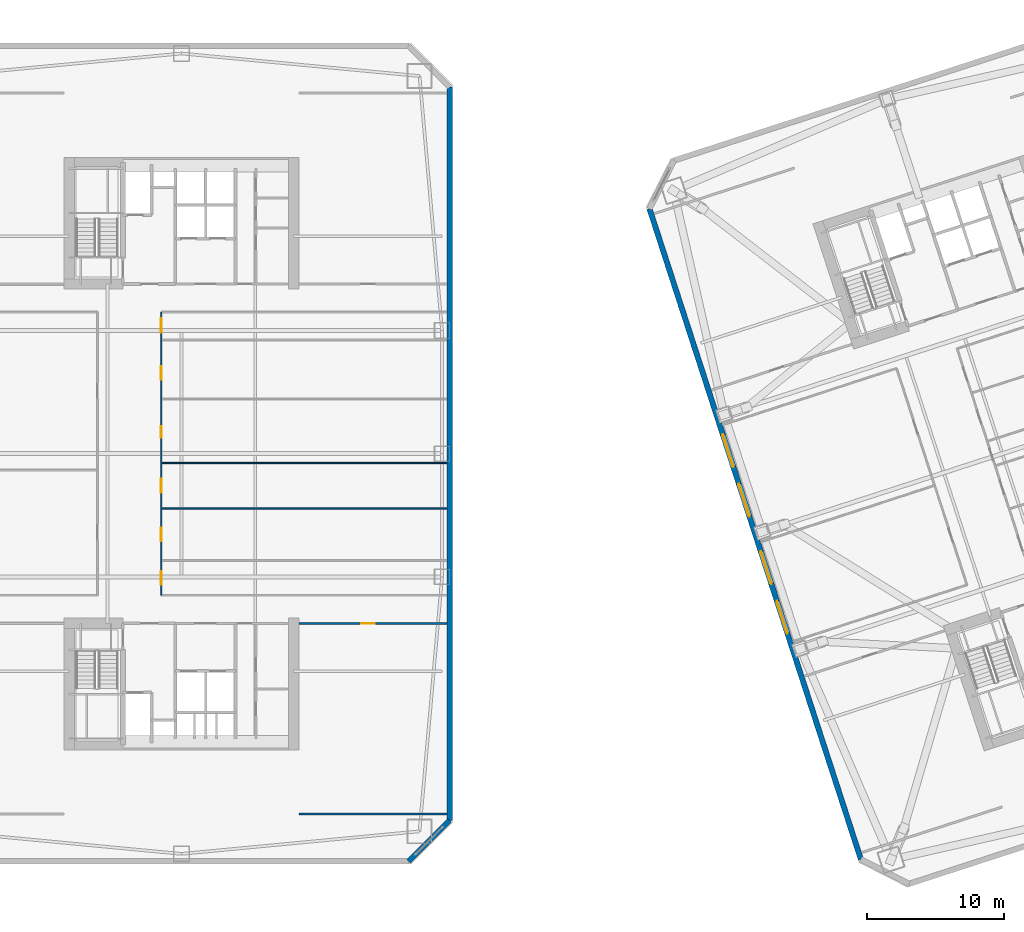
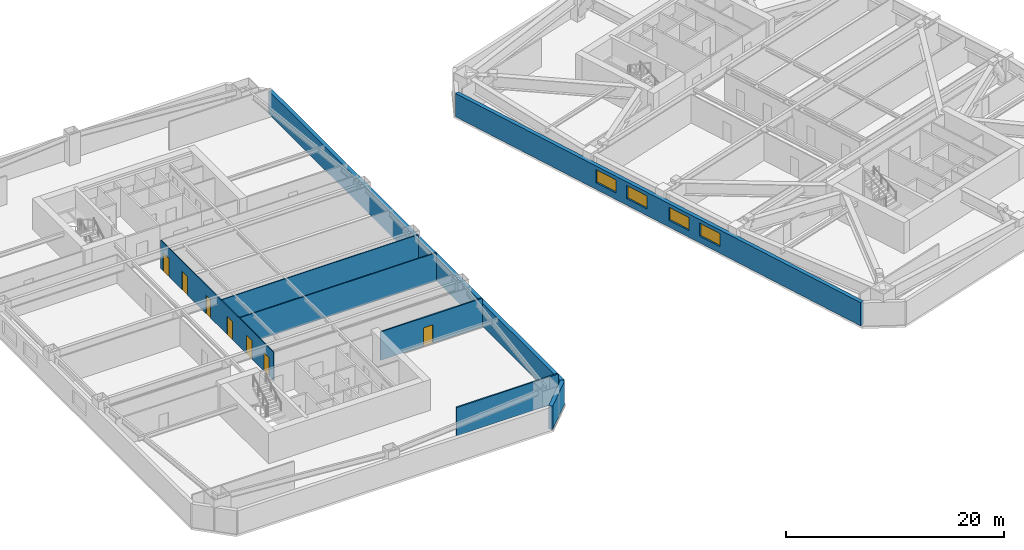
# One storey, part 12 of 18: 8 walls, 7 doors, 4 windows, 11 openings.
"""IFC4 building model written with IfcOpenShell, lengths in metres."""

from ifc_helpers import new_model, si_unit, direction, frame, frame_2d, origin, place, context, subcontext, project, spatial, rectangle, extrude, material, layer, layer_set, type_object, element, fill, save


model = new_model("IFC4")

# Units and contexts
model_context = context("Model", 3, precision=1e-05, world=origin(), true_north=direction((0.0, 1.0)))
body_context = subcontext(model_context, "Body", "Model", "MODEL_VIEW")
ifc_project = project(units=[si_unit("LENGTHUNIT", "METRE"), si_unit("AREAUNIT", "SQUARE_METRE"), si_unit("VOLUMEUNIT", "CUBIC_METRE"), si_unit("PLANEANGLEUNIT", "RADIAN"), si_unit("MASSUNIT", "GRAM", prefix="KILO")], contexts=[model_context])

# Site, building, storey
site_placement = place(None, origin())
site = spatial("IfcSite", under=ifc_project, at=site_placement, CompositionType="ELEMENT")
building_placement = place(site_placement, origin())
building = spatial("IfcBuilding", under=site, at=building_placement, Name="Qiaolan Cultural Towers", CompositionType="ELEMENT")
storey_placement = place(building_placement, frame((0.0, 0.0, 74.75)))
storey = spatial("IfcBuildingStorey", under=building, at=storey_placement, Name="L18", CompositionType="ELEMENT", Elevation=74.75)

# Walls
ifc_material_1 = material(Name="Precast Concrete C50 Honed Stone Pier", Category="masonry")
ifc_layer_1 = layer(ifc_material_1, 0.39990234375)
ifc_layer_set_1 = layer_set([ifc_layer_1], Name="Precast Concrete C50 Honed Stone Pier")
wall_type_1 = type_object("IfcWallType", Name="WL-EXT-PIER-400", PredefinedType="SOLIDWALL", material=ifc_layer_set_1)
wall_1_placement = place(storey_placement, frame((49.60009765625, 60.800048828125, 0.0), z_axis=(0.0, 0.0, 1.0), x_axis=(0.0, -1.0, 0.0)))
element("IfcWall", 1, at=wall_1_placement, inside=storey, type_object=wall_type_1, Name="L18 West Tower Precast Pier Facade Wall F5", PredefinedType="SOLIDWALL", context=body_context, shape_type="SweptSolid", body=[
    extrude(rectangle(XDim=53.60009765625, YDim=0.39990234375, at=frame_2d((26.800048828125, 0.0))), origin(), (0.0, 0.0, 1.0), 2.610107421875),
])
wall_2_placement = place(storey_placement, frame((49.60009765625, 7.199951171875, 0.0), z_axis=(0.0, 0.0, 1.0), x_axis=(-0.707106781187, -0.707106781187, 0.0)))
element("IfcWall", 2, at=wall_2_placement, inside=storey, type_object=wall_type_1, Name="L18 West Tower Precast Pier Facade Wall F6", PredefinedType="SOLIDWALL", context=body_context, shape_type="SweptSolid", body=[
    extrude(rectangle(XDim=4.24267578125, YDim=0.39990234375, at=frame_2d((2.121337890625, 0.0))), origin(), (0.0, 0.0, 1.0), 2.610107421875),
])

# Wall, openings, windows
wall_3_placement = place(storey_placement, frame((79.6552734375, 4.352294921875, 0.0), z_axis=(0.0, 0.0, 1.0), x_axis=(-0.309014526607, 0.951057318118, 0.0)))
wall_3 = element("IfcWall", 3, at=wall_3_placement, inside=storey, type_object=wall_type_1, Name="L18 East Tower Precast Pier Facade Wall F1", PredefinedType="SOLIDWALL", context=body_context, shape_type="SweptSolid", body=[
    extrude(rectangle(XDim=49.999755859375, YDim=0.39990234375, at=frame_2d((25.0, 0.0))), origin(), (0.0, 0.0, 1.0), 2.610107421875),
])
opening_1_placement = place(wall_3_placement, frame((17.35009765625, 0.0, 0.75)))
opening_1 = element("IfcOpeningElement", 4, at=opening_1_placement, cuts=wall_3, Name="Opening W-01", PredefinedType="OPENING", context=body_context, shape_type="SweptSolid", body=[
    extrude(rectangle(XDim=2.5, YDim=1.4599609375, at=frame_2d((1.25, 0.72998046875))), frame((0.0, 0.2099609375, 0.0), z_axis=(0.0, -1.0, 0.0), x_axis=(1.0, 0.0, 0.0)), (0.0, 0.0, 1.0), 0.419921875),
])
opening_2_placement = place(wall_3_placement, frame((21.14990234375, 0.0, 0.75)))
opening_2 = element("IfcOpeningElement", 5, at=opening_2_placement, cuts=wall_3, Name="Opening W-01", PredefinedType="OPENING", context=body_context, shape_type="SweptSolid", body=[
    extrude(rectangle(XDim=2.5, YDim=1.4599609375, at=frame_2d((1.25, 0.72998046875))), frame((0.0, 0.2099609375, 0.0), z_axis=(0.0, -1.0, 0.0), x_axis=(1.0, 0.0, 0.0)), (0.0, 0.0, 1.0), 0.419921875),
])
opening_3_placement = place(wall_3_placement, frame((26.35009765625, 0.0, 0.75)))
opening_3 = element("IfcOpeningElement", 6, at=opening_3_placement, cuts=wall_3, Name="Opening W-01", PredefinedType="OPENING", context=body_context, shape_type="SweptSolid", body=[
    extrude(rectangle(XDim=2.5, YDim=1.4599609375, at=frame_2d((1.25, 0.72998046875))), frame((0.0, 0.2099609375, 0.0), z_axis=(0.0, -1.0, 0.0), x_axis=(1.0, 0.0, 0.0)), (0.0, 0.0, 1.0), 0.419921875),
])
opening_4_placement = place(wall_3_placement, frame((30.14990234375, 0.0, 0.75)))
opening_4 = element("IfcOpeningElement", 7, at=opening_4_placement, cuts=wall_3, Name="Opening W-01", PredefinedType="OPENING", context=body_context, shape_type="SweptSolid", body=[
    extrude(rectangle(XDim=2.5, YDim=1.4599609375, at=frame_2d((1.25, 0.72998046875))), frame((0.0, 0.2099609375, 0.0), z_axis=(0.0, -1.0, 0.0), x_axis=(1.0, 0.0, 0.0)), (0.0, 0.0, 1.0), 0.419921875),
])
ifc_material_2 = material(Name="Thermally Broken Aluminium Triple Low-E Glazing", Category="aluminium")
window_type = type_object("IfcWindowType", Name="WN-CHIC-2500", PartitioningType="SINGLE_PANEL", PredefinedType="WINDOW", material=ifc_material_2)
window_1_placement = place(opening_1_placement, origin())
window_1 = element("IfcWindow", 8, at=window_1_placement, inside=storey, type_object=window_type, Name="L18 T2 W Chicago Bay Window 1", OverallHeight=1.4599609375, OverallWidth=2.5, PartitioningType="TRIPLE_PANEL_VERTICAL", PredefinedType="WINDOW", context=body_context, shape_type="SweptSolid", body=[
    extrude(rectangle(XDim=2.5, YDim=1.4599609375, at=frame_2d((1.25, 0.72998046875))), frame((0.0, 0.030029296875, 0.0), z_axis=(0.0, -1.0, 0.0), x_axis=(1.0, 0.0, 0.0)), (0.0, 0.0, 1.0), 0.06005859375),
])
fill(opening_1, window_1)
window_2_placement = place(opening_2_placement, origin())
window_2 = element("IfcWindow", 9, at=window_2_placement, inside=storey, type_object=window_type, Name="L18 T2 W Chicago Bay Window 2", OverallHeight=1.4599609375, OverallWidth=2.5, PartitioningType="TRIPLE_PANEL_VERTICAL", PredefinedType="WINDOW", context=body_context, shape_type="SweptSolid", body=[
    extrude(rectangle(XDim=2.5, YDim=1.4599609375, at=frame_2d((1.25, 0.72998046875))), frame((0.0, 0.030029296875, 0.0), z_axis=(0.0, -1.0, 0.0), x_axis=(1.0, 0.0, 0.0)), (0.0, 0.0, 1.0), 0.06005859375),
])
fill(opening_2, window_2)
window_3_placement = place(opening_3_placement, origin())
window_3 = element("IfcWindow", 10, at=window_3_placement, inside=storey, type_object=window_type, Name="L18 T2 W Chicago Bay Window 3", OverallHeight=1.4599609375, OverallWidth=2.5, PartitioningType="TRIPLE_PANEL_VERTICAL", PredefinedType="WINDOW", context=body_context, shape_type="SweptSolid", body=[
    extrude(rectangle(XDim=2.5, YDim=1.4599609375, at=frame_2d((1.25, 0.72998046875))), frame((0.0, 0.030029296875, 0.0), z_axis=(0.0, -1.0, 0.0), x_axis=(1.0, 0.0, 0.0)), (0.0, 0.0, 1.0), 0.06005859375),
])
fill(opening_3, window_3)
window_4_placement = place(opening_4_placement, origin())
window_4 = element("IfcWindow", 11, at=window_4_placement, inside=storey, type_object=window_type, Name="L18 T2 W Chicago Bay Window 4", OverallHeight=1.4599609375, OverallWidth=2.5, PartitioningType="TRIPLE_PANEL_VERTICAL", PredefinedType="WINDOW", context=body_context, shape_type="SweptSolid", body=[
    extrude(rectangle(XDim=2.5, YDim=1.4599609375, at=frame_2d((1.25, 0.72998046875))), frame((0.0, 0.030029296875, 0.0), z_axis=(0.0, -1.0, 0.0), x_axis=(1.0, 0.0, 0.0)), (0.0, 0.0, 1.0), 0.06005859375),
])
fill(opening_4, window_4)

# Wall, openings, doors
ifc_material_3 = material(Name="Acoustic Double-Glazed Partition Frame", Category="glass")
ifc_layer_2 = layer(ifc_material_3, 0.10009765625)
ifc_layer_set_2 = layer_set([ifc_layer_2], Name="Acoustic Double-Glazed Partition Frame")
wall_type_2 = type_object("IfcWallType", Name="WL-GLAZED-100", PredefinedType="MOVABLE", material=ifc_layer_set_2)
wall_4_placement = place(storey_placement, frame((28.52490234375, 23.64990234375, 0.0), z_axis=(0.0, 0.0, 1.0), x_axis=(0.0, 1.0, 0.0)))
wall_4 = element("IfcWall", 12, at=wall_4_placement, inside=storey, type_object=wall_type_2, Name="L18 T1 East Spine Wall", PredefinedType="MOVABLE", context=body_context, shape_type="SweptSolid", body=[
    extrude(rectangle(XDim=20.7001953125, YDim=0.10009765625, at=frame_2d((10.35009765625, 0.0))), origin(), (0.0, 0.0, 1.0), 3.175048828125),
])
opening_5_placement = place(wall_4_placement, frame((0.77490234375, 0.0, 0.0)))
opening_5 = element("IfcOpeningElement", 13, at=opening_5_placement, cuts=wall_4, Name="Opening ID-04", PredefinedType="OPENING", context=body_context, shape_type="SweptSolid", body=[
    extrude(rectangle(XDim=1.0, YDim=2.050048828125, at=frame_2d((0.5, 1.02490234375))), frame((0.0, 0.06005859375, 0.0), z_axis=(0.0, -1.0, 0.0), x_axis=(1.0, 0.0, 0.0)), (0.0, 0.0, 1.0), 0.1201171875),
])
opening_6_placement = place(wall_4_placement, frame((3.949951171875, 0.0, 0.0)))
opening_6 = element("IfcOpeningElement", 14, at=opening_6_placement, cuts=wall_4, Name="Opening ID-04", PredefinedType="OPENING", context=body_context, shape_type="SweptSolid", body=[
    extrude(rectangle(XDim=1.0, YDim=2.050048828125, at=frame_2d((0.5, 1.02490234375))), frame((0.0, 0.06005859375, 0.0), z_axis=(0.0, -1.0, 0.0), x_axis=(1.0, 0.0, 0.0)), (0.0, 0.0, 1.0), 0.1201171875),
])
opening_7_placement = place(wall_4_placement, frame((7.510009765625, 0.0, 0.0)))
opening_7 = element("IfcOpeningElement", 15, at=opening_7_placement, cuts=wall_4, Name="Opening ID-04", PredefinedType="OPENING", context=body_context, shape_type="SweptSolid", body=[
    extrude(rectangle(XDim=1.0, YDim=2.050048828125, at=frame_2d((0.5, 1.02490234375))), frame((0.0, 0.06005859375, 0.0), z_axis=(0.0, -1.0, 0.0), x_axis=(1.0, 0.0, 0.0)), (0.0, 0.0, 1.0), 0.1201171875),
])
opening_8_placement = place(wall_4_placement, frame((11.510009765625, 0.0, 0.0)))
opening_8 = element("IfcOpeningElement", 16, at=opening_8_placement, cuts=wall_4, Name="Opening ID-09", PredefinedType="OPENING", context=body_context, shape_type="SweptSolid", body=[
    extrude(rectangle(XDim=0.85009765625, YDim=2.050048828125, at=frame_2d((0.425048828125, 1.02490234375))), frame((0.0, 0.06005859375, 0.0), z_axis=(0.0, -1.0, 0.0), x_axis=(1.0, 0.0, 0.0)), (0.0, 0.0, 1.0), 0.1201171875),
])
opening_9_placement = place(wall_4_placement, frame((15.75, 0.0, 0.0)))
opening_9 = element("IfcOpeningElement", 17, at=opening_9_placement, cuts=wall_4, Name="Opening ID-04", PredefinedType="OPENING", context=body_context, shape_type="SweptSolid", body=[
    extrude(rectangle(XDim=1.0, YDim=2.050048828125, at=frame_2d((0.5, 1.02490234375))), frame((0.0, 0.06005859375, 0.0), z_axis=(0.0, -1.0, 0.0), x_axis=(1.0, 0.0, 0.0)), (0.0, 0.0, 1.0), 0.1201171875),
])
opening_10_placement = place(wall_4_placement, frame((19.18505859375, 0.0, 0.0)))
opening_10 = element("IfcOpeningElement", 18, at=opening_10_placement, cuts=wall_4, Name="Opening ID-07", PredefinedType="OPENING", context=body_context, shape_type="SweptSolid", body=[
    extrude(rectangle(XDim=1.050048828125, YDim=2.050048828125, at=frame_2d((0.52490234375, 1.02490234375))), frame((0.0, 0.06005859375, 0.0), z_axis=(0.0, -1.0, 0.0), x_axis=(1.0, 0.0, 0.0)), (0.0, 0.0, 1.0), 0.1201171875),
])
ifc_material_4 = material(Name="Oak Veneer Acoustic Office Door", Category="timber")
door_type_1 = type_object("IfcDoorType", Name="DR-INT-1000", OperationType="NOTDEFINED", PredefinedType="DOOR", material=ifc_material_4)
door_1_placement = place(opening_5_placement, origin())
door_1 = element("IfcDoor", 19, at=door_1_placement, inside=storey, type_object=door_type_1, Name="L18 T1 Boutique Art Shop Door", OperationType="SINGLE_SWING_RIGHT", OverallHeight=2.050048828125, OverallWidth=1.0, PredefinedType="DOOR", context=body_context, shape_type="SweptSolid", body=[
    extrude(rectangle(XDim=1.0, YDim=2.050048828125, at=frame_2d((0.5, 1.02490234375))), frame((0.0, 0.02490234375, 0.0), z_axis=(0.0, -1.0, 0.0), x_axis=(1.0, 0.0, 0.0)), (0.0, 0.0, 1.0), 0.050048828125),
])
fill(opening_5, door_1)
door_2_placement = place(opening_6_placement, origin())
door_2 = element("IfcDoor", 20, at=door_2_placement, inside=storey, type_object=door_type_1, Name="L18 T1 Boutique Art Shop Door", OperationType="SINGLE_SWING_LEFT", OverallHeight=2.050048828125, OverallWidth=1.0, PredefinedType="DOOR", context=body_context, shape_type="SweptSolid", body=[
    extrude(rectangle(XDim=1.0, YDim=2.050048828125, at=frame_2d((0.5, 1.02490234375))), frame((0.0, 0.02490234375, 0.0), z_axis=(0.0, -1.0, 0.0), x_axis=(1.0, 0.0, 0.0)), (0.0, 0.0, 1.0), 0.050048828125),
])
fill(opening_6, door_2)
door_3_placement = place(opening_7_placement, origin())
door_3 = element("IfcDoor", 21, at=door_3_placement, inside=storey, type_object=door_type_1, Name="L18 T1 Boutique Art Shop Door", OperationType="SINGLE_SWING_RIGHT", OverallHeight=2.050048828125, OverallWidth=1.0, PredefinedType="DOOR", context=body_context, shape_type="SweptSolid", body=[
    extrude(rectangle(XDim=1.0, YDim=2.050048828125, at=frame_2d((0.5, 1.02490234375))), frame((0.0, 0.02490234375, 0.0), z_axis=(0.0, -1.0, 0.0), x_axis=(1.0, 0.0, 0.0)), (0.0, 0.0, 1.0), 0.050048828125),
])
fill(opening_7, door_3)
door_4_placement = place(opening_9_placement, origin())
door_4 = element("IfcDoor", 22, at=door_4_placement, inside=storey, type_object=door_type_1, Name="L18 T1 Conference Room Door", OperationType="SINGLE_SWING_RIGHT", OverallHeight=2.050048828125, OverallWidth=1.0, PredefinedType="DOOR", context=body_context, shape_type="SweptSolid", body=[
    extrude(rectangle(XDim=1.0, YDim=2.050048828125, at=frame_2d((0.5, 1.02490234375))), frame((0.0, 0.02490234375, 0.0), z_axis=(0.0, -1.0, 0.0), x_axis=(1.0, 0.0, 0.0)), (0.0, 0.0, 1.0), 0.050048828125),
])
fill(opening_9, door_4)
ifc_material_5 = material(Name="Oak Veneer Consultation Door", Category="timber")
door_type_2 = type_object("IfcDoorType", Name="DR-INT-1050", OperationType="NOTDEFINED", PredefinedType="DOOR", material=ifc_material_5)
door_5_placement = place(opening_10_placement, origin())
door_5 = element("IfcDoor", 23, at=door_5_placement, inside=storey, type_object=door_type_2, Name="L18 T1 Tea Kitchen Door", OperationType="SINGLE_SWING_RIGHT", OverallHeight=2.050048828125, OverallWidth=1.050048828125, PredefinedType="DOOR", context=body_context, shape_type="SweptSolid", body=[
    extrude(rectangle(XDim=1.050048828125, YDim=2.050048828125, at=frame_2d((0.52490234375, 1.02490234375))), frame((0.0, 0.02490234375, 0.0), z_axis=(0.0, -1.0, 0.0), x_axis=(1.0, 0.0, 0.0)), (0.0, 0.0, 1.0), 0.050048828125),
])
fill(opening_10, door_5)
ifc_material_6 = material(Name="Moisture-Resistant Laminate Utility Door", Category="timber")
door_type_3 = type_object("IfcDoorType", Name="DR-INT-850", OperationType="NOTDEFINED", PredefinedType="DOOR", material=ifc_material_6)
door_6_placement = place(opening_8_placement, origin())
door_6 = element("IfcDoor", 24, at=door_6_placement, inside=storey, type_object=door_type_3, Name="L18 T1 Wellness Care Room Door", OperationType="SINGLE_SWING_LEFT", OverallHeight=2.050048828125, OverallWidth=0.85009765625, PredefinedType="DOOR", context=body_context, shape_type="SweptSolid", body=[
    extrude(rectangle(XDim=0.85009765625, YDim=2.050048828125, at=frame_2d((0.425048828125, 1.02490234375))), frame((0.0, 0.02490234375, 0.0), z_axis=(0.0, -1.0, 0.0), x_axis=(1.0, 0.0, 0.0)), (0.0, 0.0, 1.0), 0.050048828125),
])
fill(opening_8, door_6)

# Walls
for number, where, z_axis, x_axis, name in (
    (25, (28.52490234375, 30.0, 0.0), (0.0, 0.0, 1.0), (1.0, 0.0, 0.0), "L18 T1 East Partition 2"),
    (26, (28.52490234375, 33.320068359375, 0.0), (0.0, 0.0, 1.0), (1.0, 0.0, 0.0), "L18 T1 East Partition 3"),
):
    element("IfcWall", number, at=place(storey_placement, frame(where, z_axis=z_axis, x_axis=x_axis)), inside=storey, type_object=wall_type_2, Name=name, PredefinedType="MOVABLE", context=body_context, shape_type="SweptSolid", body=[
        extrude(rectangle(XDim=20.875, YDim=0.10009765625, at=frame_2d((10.4375, 0.0))), origin(), (0.0, 0.0, 1.0), 3.175048828125),
    ])
ifc_material_7 = material(Name="Autoclaved Aerated Concrete Block B06", Category="concrete")
ifc_layer_3 = layer(ifc_material_7, 0.14990234375)
ifc_layer_set_3 = layer_set([ifc_layer_3], Name="Autoclaved Aerated Concrete Block B06")
wall_type_3 = type_object("IfcWallType", Name="WL-PART-150", PredefinedType="PARTITIONING", material=ifc_layer_set_3)
wall_5_placement = place(storey_placement, frame((38.60009765625, 7.64990234375, 0.0), z_axis=(0.0, 0.0, 1.0), x_axis=(1.0, 0.0, 0.0)))
element("IfcWall", 27, at=wall_5_placement, inside=storey, type_object=wall_type_3, Name="L18 T1 Flank Wall FLK-SE", PredefinedType="PARTITIONING", context=body_context, shape_type="SweptSolid", body=[
    extrude(rectangle(XDim=10.7998046875, YDim=0.14990234375, at=frame_2d((5.39990234375, 0.0))), origin(), (0.0, 0.0, 1.0), 3.175048828125),
])

# Wall, opening, door
wall_6_placement = place(storey_placement, frame((38.60009765625, 21.60009765625, 0.0), z_axis=(0.0, 0.0, 1.0), x_axis=(1.0, 0.0, 0.0)))
wall_6 = element("IfcWall", 28, at=wall_6_placement, inside=storey, type_object=wall_type_3, Name="L18 T1 Flank Front FLK-SE", PredefinedType="PARTITIONING", context=body_context, shape_type="SweptSolid", body=[
    extrude(rectangle(XDim=10.7998046875, YDim=0.14990234375, at=frame_2d((5.39990234375, 0.0))), origin(), (0.0, 0.0, 1.0), 3.175048828125),
])
opening_11_placement = place(wall_6_placement, frame((4.535888671875, 0.0, 0.0)))
opening_11 = element("IfcOpeningElement", 29, at=opening_11_placement, cuts=wall_6, Name="Opening ID-04", PredefinedType="OPENING", context=body_context, shape_type="SweptSolid", body=[
    extrude(rectangle(XDim=1.0, YDim=2.050048828125, at=frame_2d((0.5, 1.02490234375))), frame((0.0, 0.0849609375, 0.0), z_axis=(0.0, -1.0, 0.0), x_axis=(1.0, 0.0, 0.0)), (0.0, 0.0, 1.0), 0.169921875),
])
door_7_placement = place(opening_11_placement, origin())
door_7 = element("IfcDoor", 30, at=door_7_placement, inside=storey, type_object=door_type_1, Name="L18 T1 Corner Studio Door", OperationType="SINGLE_SWING_LEFT", OverallHeight=2.050048828125, OverallWidth=1.0, PredefinedType="DOOR", context=body_context, shape_type="SweptSolid", body=[
    extrude(rectangle(XDim=1.0, YDim=2.050048828125, at=frame_2d((0.5, 1.02490234375))), frame((0.0, 0.02490234375, 0.0), z_axis=(0.0, -1.0, 0.0), x_axis=(1.0, 0.0, 0.0)), (0.0, 0.0, 1.0), 0.050048828125),
])
fill(opening_11, door_7)

save(model, "model.ifc")
